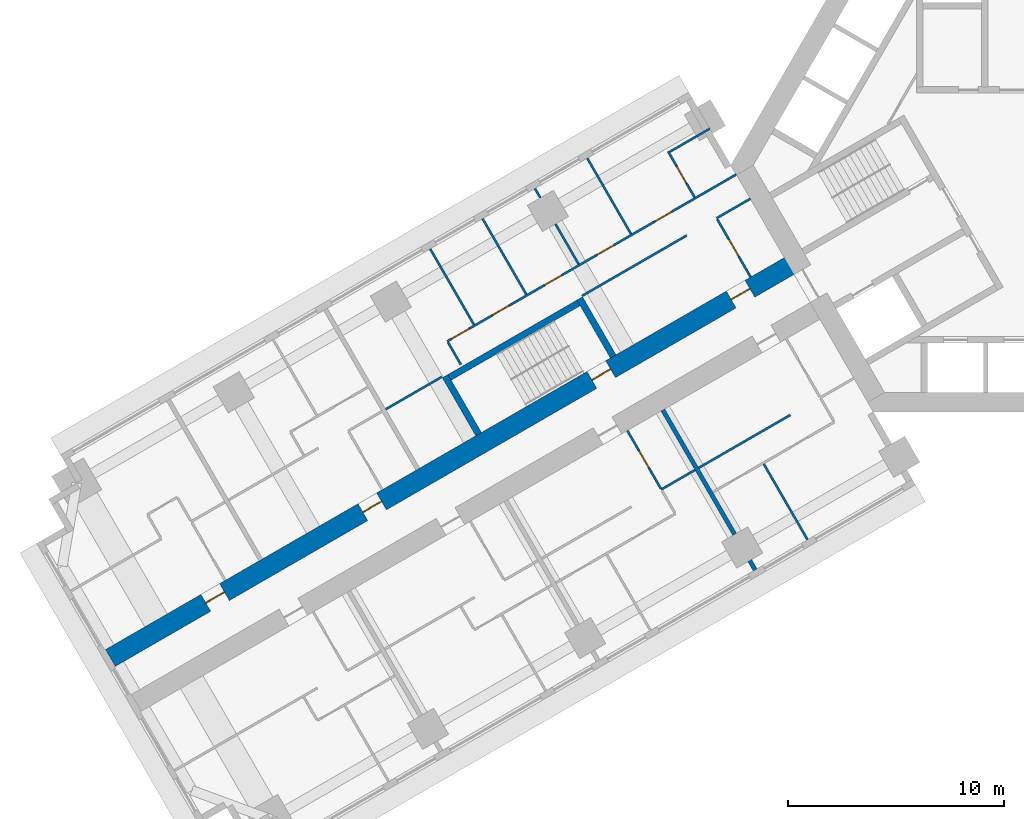
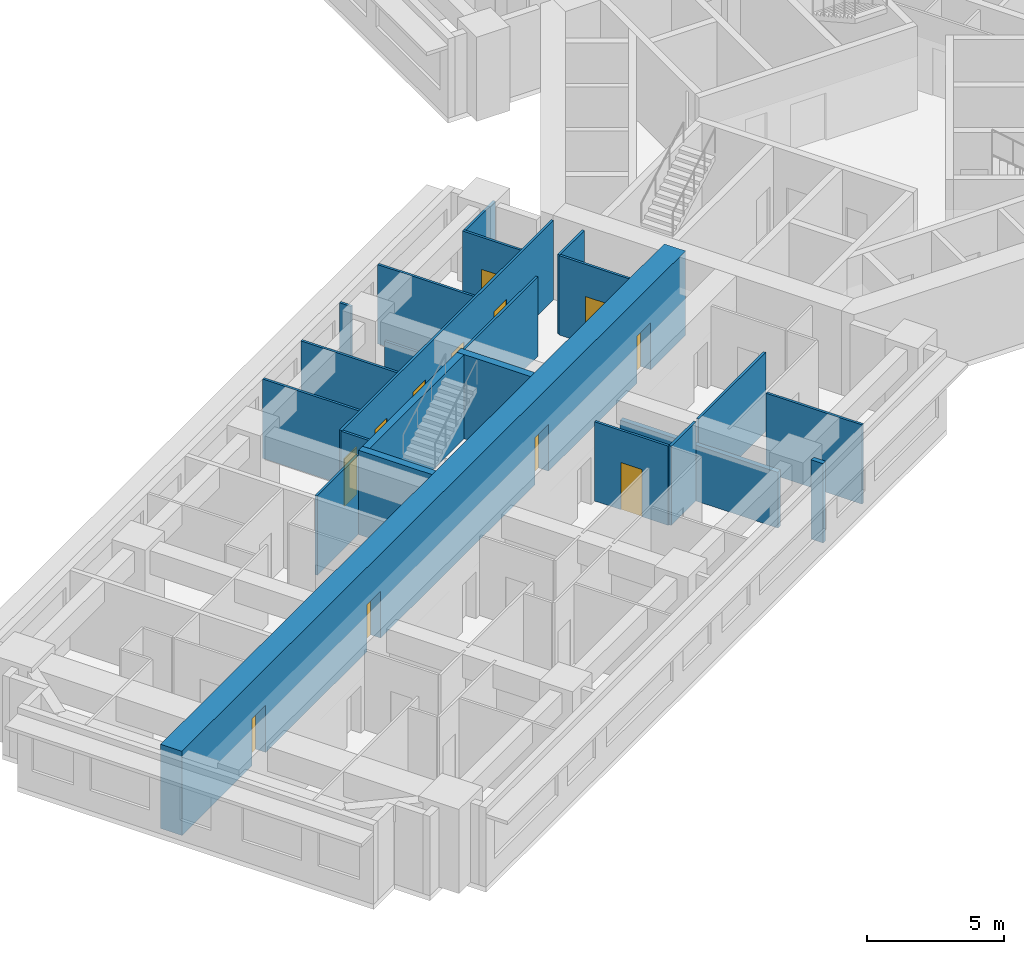
# One storey, part 5 of 15: 23 walls, 12 doors, 12 openings.
"""IFC4 building model written with IfcOpenShell, lengths in metres."""

from ifc_helpers import new_model, si_unit, direction, frame, frame_2d, origin, place, context, subcontext, project, spatial, rectangle, extrude, material, layer, layer_set, type_object, element, fill, save


model = new_model("IFC4")

# Units and contexts
model_context = context("Model", 3, precision=1e-05, world=origin(), true_north=direction((0.0, 1.0)))
body_context = subcontext(model_context, "Body", "Model", "MODEL_VIEW")
ifc_project = project(units=[si_unit("LENGTHUNIT", "METRE"), si_unit("AREAUNIT", "SQUARE_METRE"), si_unit("VOLUMEUNIT", "CUBIC_METRE"), si_unit("PLANEANGLEUNIT", "RADIAN"), si_unit("MASSUNIT", "GRAM", prefix="KILO")], contexts=[model_context])

# Site, building, storey
site_placement = place(None, origin())
site = spatial("IfcSite", under=ifc_project, at=site_placement, CompositionType="ELEMENT")
building_placement = place(site_placement, origin())
building = spatial("IfcBuilding", under=site, at=building_placement, Name="Impinga Residences", CompositionType="ELEMENT")
storey_placement = place(building_placement, frame((0.0, 0.0, 82.25)))
storey = spatial("IfcBuildingStorey", under=building, at=storey_placement, Name="L20", CompositionType="ELEMENT", Elevation=82.25)

# Wall, openings, doors
ifc_material_1 = material(Name="Concrete C70/85", Category="concrete")
ifc_layer_1 = layer(ifc_material_1, 0.89990234375)
ifc_layer_set_1 = layer_set([ifc_layer_1], Name="Concrete C70/85")
wall_type_1 = type_object("IfcWallType", Name="BW1 corridor buttress wall, L05 to L22 900", PredefinedType="SHEAR", material=ifc_layer_set_1)
wall_1_placement = place(storey_placement, frame((-10.1103515625, -4.451416015625, 0.0), z_axis=(0.0, 0.0, 1.0), x_axis=(-0.866025284237, -0.500000207062, 0.0)))
wall_1 = element("IfcWall", 1, at=wall_1_placement, inside=storey, type_object=wall_type_1, Name="Corridor wall BW1 WD L20", PredefinedType="SHEAR", context=body_context, shape_type="SweptSolid", body=[
    extrude(rectangle(XDim=36.75, YDim=0.89990234375, at=frame_2d((18.375, 0.0))), origin(), (0.0, 0.0, 1.0), 3.75),
])
opening_1_placement = place(wall_1_placement, frame((10.0, 0.0, 0.0)))
opening_1 = element("IfcOpeningElement", 2, at=opening_1_placement, cuts=wall_1, Name="Opening D5", PredefinedType="OPENING", context=body_context, shape_type="SweptSolid", body=[
    extrude(rectangle(XDim=1.0, YDim=2.10009765625, at=frame_2d((0.5, 1.050048828125))), frame((0.0, 0.4599609375, 0.0), z_axis=(0.0, -1.0, 0.0), x_axis=(1.0, 0.0, 0.0)), (0.0, 0.0, 1.0), 0.919921875),
])
opening_2_placement = place(wall_1_placement, frame((2.550048828125, 0.0, 0.0)))
opening_2 = element("IfcOpeningElement", 3, at=opening_2_placement, cuts=wall_1, Name="Opening D1", PredefinedType="OPENING", context=body_context, shape_type="SweptSolid", body=[
    extrude(rectangle(XDim=1.0, YDim=2.10009765625, at=frame_2d((0.5, 1.050048828125))), frame((0.0, 0.4599609375, 0.0), z_axis=(0.0, -1.0, 0.0), x_axis=(1.0, 0.0, 0.0)), (0.0, 0.0, 1.0), 0.919921875),
])
opening_3_placement = place(wall_1_placement, frame((22.25, 0.0, 0.0)))
opening_3 = element("IfcOpeningElement", 4, at=opening_3_placement, cuts=wall_1, Name="Opening D1", PredefinedType="OPENING", context=body_context, shape_type="SweptSolid", body=[
    extrude(rectangle(XDim=1.0, YDim=2.10009765625, at=frame_2d((0.5, 1.050048828125))), frame((0.0, 0.4599609375, 0.0), z_axis=(0.0, -1.0, 0.0), x_axis=(1.0, 0.0, 0.0)), (0.0, 0.0, 1.0), 0.919921875),
])
opening_4_placement = place(wall_1_placement, frame((30.64990234375, 0.0, 0.0)))
opening_4 = element("IfcOpeningElement", 5, at=opening_4_placement, cuts=wall_1, Name="Opening D1", PredefinedType="OPENING", context=body_context, shape_type="SweptSolid", body=[
    extrude(rectangle(XDim=1.0, YDim=2.10009765625, at=frame_2d((0.5, 1.050048828125))), frame((0.0, 0.4599609375, 0.0), z_axis=(0.0, -1.0, 0.0), x_axis=(1.0, 0.0, 0.0)), (0.0, 0.0, 1.0), 0.919921875),
])
ifc_material_2 = material(Name="Timber door set", Category="wood")
door_type_1 = type_object("IfcDoorType", Name="D1 apartment entrance door 1000x2100", OperationType="SINGLE_SWING_LEFT", PredefinedType="DOOR", material=ifc_material_2)
door_1_placement = place(opening_2_placement, origin())
door_1 = element("IfcDoor", 6, at=door_1_placement, inside=storey, type_object=door_type_1, Name="Apartment L20-WF1 entrance", OperationType="SINGLE_SWING_LEFT", OverallHeight=2.10009765625, OverallWidth=1.0, PredefinedType="DOOR", context=body_context, shape_type="SweptSolid", body=[
    extrude(rectangle(XDim=1.0, YDim=2.10009765625, at=frame_2d((0.5, 1.050048828125))), frame((0.0, 0.02490234375, 0.0), z_axis=(0.0, -1.0, 0.0), x_axis=(1.0, 0.0, 0.0)), (0.0, 0.0, 1.0), 0.050048828125),
])
fill(opening_2, door_1)
door_2_placement = place(opening_3_placement, origin())
door_2 = element("IfcDoor", 7, at=door_2_placement, inside=storey, type_object=door_type_1, Name="Apartment L20-WF2 entrance", OperationType="SINGLE_SWING_RIGHT", OverallHeight=2.10009765625, OverallWidth=1.0, PredefinedType="DOOR", context=body_context, shape_type="SweptSolid", body=[
    extrude(rectangle(XDim=1.0, YDim=2.10009765625, at=frame_2d((0.5, 1.050048828125))), frame((0.0, 0.02490234375, 0.0), z_axis=(0.0, -1.0, 0.0), x_axis=(1.0, 0.0, 0.0)), (0.0, 0.0, 1.0), 0.050048828125),
])
fill(opening_3, door_2)
door_3_placement = place(opening_4_placement, origin())
door_3 = element("IfcDoor", 8, at=door_3_placement, inside=storey, type_object=door_type_1, Name="Apartment L20-WF3 entrance", OperationType="SINGLE_SWING_RIGHT", OverallHeight=2.10009765625, OverallWidth=1.0, PredefinedType="DOOR", context=body_context, shape_type="SweptSolid", body=[
    extrude(rectangle(XDim=1.0, YDim=2.10009765625, at=frame_2d((0.5, 1.050048828125))), frame((0.0, 0.02490234375, 0.0), z_axis=(0.0, -1.0, 0.0), x_axis=(1.0, 0.0, 0.0)), (0.0, 0.0, 1.0), 0.050048828125),
])
fill(opening_4, door_3)
door_type_2 = type_object("IfcDoorType", Name="D5 stair door 1000x2100", OperationType="SINGLE_SWING_LEFT", PredefinedType="DOOR", material=ifc_material_2)
door_4_placement = place(opening_1_placement, origin())
door_4 = element("IfcDoor", 9, at=door_4_placement, inside=storey, type_object=door_type_2, Name="Wing stair door W", OperationType="SINGLE_SWING_LEFT", OverallHeight=2.10009765625, OverallWidth=1.0, PredefinedType="DOOR", context=body_context, shape_type="SweptSolid", body=[
    extrude(rectangle(XDim=1.0, YDim=2.10009765625, at=frame_2d((0.5, 1.050048828125))), frame((0.0, 0.02490234375, 0.0), z_axis=(0.0, -1.0, 0.0), x_axis=(1.0, 0.0, 0.0)), (0.0, 0.0, 1.0), 0.050048828125),
])
fill(opening_1, door_4)

# Walls
ifc_material_3 = material(Name="Gypsum board on steel studs", Category="steel")
ifc_layer_2 = layer(ifc_material_3, 0.10009765625)
ifc_layer_set_2 = layer_set([ifc_layer_2], Name="Gypsum board on steel studs")
wall_type_2 = type_object("IfcWallType", Name="IP1 partition 100", PredefinedType="PARTITIONING", material=ifc_layer_set_2)
wall_2_placement = place(storey_placement, frame((-10.444580078125, -11.57275390625, 0.0), z_axis=(0.0, 0.0, 1.0), x_axis=(-0.866023786258, -0.500002801628, 0.0)))
element("IfcWall", 10, at=wall_2_placement, inside=storey, type_object=wall_type_2, Name="Partition L20-WA1:DIV1", PredefinedType="PARTITIONING", context=body_context, shape_type="SweptSolid", body=[
    extrude(rectangle(XDim=4.89990234375, YDim=0.10009765625, at=frame_2d((2.449951171875, 0.0))), origin(), (0.0, 0.0, 1.0), 3.530029296875),
])
wall_3_placement = place(storey_placement, frame((-11.6748046875, -13.841796875, 0.0), z_axis=(0.0, 0.0, 1.0), x_axis=(0.500035537042, -0.866004885491, 0.0)))
element("IfcWall", 11, at=wall_3_placement, inside=storey, type_object=wall_type_2, Name="Partition L20-WA1:OB1", PredefinedType="PARTITIONING", context=body_context, shape_type="SweptSolid", body=[
    extrude(rectangle(XDim=4.050048828125, YDim=0.10009765625, at=frame_2d((2.02490234375, 0.0))), origin(), (0.0, 0.0, 1.0), 3.530029296875),
])
wall_4_placement = place(storey_placement, frame((-14.861328125, -14.122802734375, 0.0), z_axis=(0.0, 0.0, 1.0), x_axis=(-0.866047807691, -0.499961193289, 0.0)))
element("IfcWall", 12, at=wall_4_placement, inside=storey, type_object=wall_type_2, Name="Partition L20-WA2:DIV0", PredefinedType="PARTITIONING", context=body_context, shape_type="SweptSolid", body=[
    extrude(rectangle(XDim=1.800048828125, YDim=0.10009765625, at=frame_2d((0.89990234375, 0.0))), origin(), (0.0, 0.0, 1.0), 3.530029296875),
])

# Wall, opening, door
wall_5_placement = place(storey_placement, frame((-17.9951171875, -12.294677734375, 0.0), z_axis=(0.0, 0.0, 1.0), x_axis=(0.49999285859, -0.86602952684, 0.0)))
wall_5 = element("IfcWall", 13, at=wall_5_placement, inside=storey, type_object=wall_type_2, Name="Partition L20-WA2:IB1", PredefinedType="PARTITIONING", context=body_context, shape_type="SweptSolid", body=[
    extrude(rectangle(XDim=3.10009765625, YDim=0.10009765625, at=frame_2d((1.550048828125, 0.0))), origin(), (0.0, 0.0, 1.0), 3.530029296875),
])
opening_5_placement = place(wall_5_placement, frame((1.10009765625, 0.0, 0.0)))
opening_5 = element("IfcOpeningElement", 14, at=opening_5_placement, cuts=wall_5, Name="Opening D2", PredefinedType="OPENING", context=body_context, shape_type="SweptSolid", body=[
    extrude(rectangle(XDim=0.89990234375, YDim=2.10009765625, at=frame_2d((0.449951171875, 1.050048828125))), frame((0.0, 0.06005859375, 0.0), z_axis=(0.0, -1.0, 0.0), x_axis=(1.0, 0.0, 0.0)), (0.0, 0.0, 1.0), 0.1201171875),
])
door_type_3 = type_object("IfcDoorType", Name="D2 internal door 900x2100", OperationType="SINGLE_SWING_LEFT", PredefinedType="DOOR", material=ifc_material_2)
door_5_placement = place(opening_5_placement, origin())
door_5 = element("IfcDoor", 15, at=door_5_placement, inside=storey, type_object=door_type_3, Name="Apartment L20-WA2 bathroom door", OperationType="SINGLE_SWING_LEFT", OverallHeight=2.10009765625, OverallWidth=0.89990234375, PredefinedType="DOOR", context=body_context, shape_type="SweptSolid", body=[
    extrude(rectangle(XDim=0.89990234375, YDim=2.10009765625, at=frame_2d((0.449951171875, 1.050048828125))), frame((0.0, 0.02490234375, 0.0), z_axis=(0.0, -1.0, 0.0), x_axis=(1.0, 0.0, 0.0)), (0.0, 0.0, 1.0), 0.050048828125),
])
fill(opening_5, door_5)

# Walls
wall_6_placement = place(storey_placement, frame((-12.300048828125, -1.558837890625, 0.0), z_axis=(0.0, 0.0, 1.0), x_axis=(-0.866047807691, -0.499961193289, 0.0)))
element("IfcWall", 16, at=wall_6_placement, inside=storey, type_object=wall_type_2, Name="Partition L20-WF1:DIV0", PredefinedType="PARTITIONING", context=body_context, shape_type="SweptSolid", body=[
    extrude(rectangle(XDim=1.800048828125, YDim=0.10009765625, at=frame_2d((0.89990234375, 0.0))), origin(), (0.0, 0.0, 1.0), 3.530029296875),
])
wall_7_placement = place(storey_placement, frame((-15.244384765625, -3.2587890625, 0.0), z_axis=(0.0, 0.0, 1.0), x_axis=(-0.866026594901, -0.49999793692, 0.0)))
element("IfcWall", 17, at=wall_7_placement, inside=storey, type_object=wall_type_2, Name="Partition L20-WF1:DIV1", PredefinedType="PARTITIONING", context=body_context, shape_type="SweptSolid", body=[
    extrude(rectangle(XDim=5.60009765625, YDim=0.10009765625, at=frame_2d((2.800048828125, 0.0))), origin(), (0.0, 0.0, 1.0), 3.530029296875),
])
wall_8_placement = place(storey_placement, frame((-26.58935546875, -9.808837890625, 0.0), z_axis=(0.0, 0.0, 1.0), x_axis=(-0.866031096941, -0.499990139034, 0.0)))
element("IfcWall", 18, at=wall_8_placement, inside=storey, type_object=wall_type_2, Name="Partition L20-WF1:DIV2", PredefinedType="PARTITIONING", context=body_context, shape_type="SweptSolid", body=[
    extrude(rectangle(XDim=3.0, YDim=0.10009765625, at=frame_2d((1.5, 0.0))), origin(), (0.0, 0.0, 1.0), 3.530029296875),
])

# Wall, openings, doors
wall_9_placement = place(storey_placement, frame((-12.949951171875, -0.43310546875, 0.0), z_axis=(0.0, 0.0, 1.0), x_axis=(-0.866030066916, -0.499991923133, 0.0)))
wall_9 = element("IfcWall", 19, at=wall_9_placement, inside=storey, type_object=wall_type_2, Name="Partition L20-WF1:STRIP", PredefinedType="PARTITIONING", context=body_context, shape_type="SweptSolid", body=[
    extrude(rectangle(XDim=15.449951171875, YDim=0.10009765625, at=frame_2d((7.72509765625, 0.0))), origin(), (0.0, 0.0, 1.0), 3.530029296875),
])
opening_6_placement = place(wall_9_placement, frame((3.449951171875, 0.0, 0.0)))
opening_6 = element("IfcOpeningElement", 20, at=opening_6_placement, cuts=wall_9, Name="Opening D2", PredefinedType="OPENING", context=body_context, shape_type="SweptSolid", body=[
    extrude(rectangle(XDim=0.89990234375, YDim=2.10009765625, at=frame_2d((0.449951171875, 1.050048828125))), frame((0.0, 0.06005859375, 0.0), z_axis=(0.0, -1.0, 0.0), x_axis=(1.0, 0.0, 0.0)), (0.0, 0.0, 1.0), 0.1201171875),
])
opening_7_placement = place(wall_9_placement, frame((6.550048828125, 0.0, 0.0)))
opening_7 = element("IfcOpeningElement", 21, at=opening_7_placement, cuts=wall_9, Name="Opening D2", PredefinedType="OPENING", context=body_context, shape_type="SweptSolid", body=[
    extrude(rectangle(XDim=0.89990234375, YDim=2.10009765625, at=frame_2d((0.449951171875, 1.050048828125))), frame((0.0, 0.06005859375, 0.0), z_axis=(0.0, -1.0, 0.0), x_axis=(1.0, 0.0, 0.0)), (0.0, 0.0, 1.0), 0.1201171875),
])
opening_8_placement = place(wall_9_placement, frame((9.35009765625, 0.0, 0.0)))
opening_8 = element("IfcOpeningElement", 22, at=opening_8_placement, cuts=wall_9, Name="Opening D2", PredefinedType="OPENING", context=body_context, shape_type="SweptSolid", body=[
    extrude(rectangle(XDim=0.89990234375, YDim=2.10009765625, at=frame_2d((0.449951171875, 1.050048828125))), frame((0.0, 0.06005859375, 0.0), z_axis=(0.0, -1.0, 0.0), x_axis=(1.0, 0.0, 0.0)), (0.0, 0.0, 1.0), 0.1201171875),
])
opening_9_placement = place(wall_9_placement, frame((12.14990234375, 0.0, 0.0)))
opening_9 = element("IfcOpeningElement", 23, at=opening_9_placement, cuts=wall_9, Name="Opening D2", PredefinedType="OPENING", context=body_context, shape_type="SweptSolid", body=[
    extrude(rectangle(XDim=0.89990234375, YDim=2.10009765625, at=frame_2d((0.449951171875, 1.050048828125))), frame((0.0, 0.06005859375, 0.0), z_axis=(0.0, -1.0, 0.0), x_axis=(1.0, 0.0, 0.0)), (0.0, 0.0, 1.0), 0.1201171875),
])
opening_10_placement = place(wall_9_placement, frame((14.300048828125, 0.0, 0.0)))
opening_10 = element("IfcOpeningElement", 24, at=opening_10_placement, cuts=wall_9, Name="Opening D2", PredefinedType="OPENING", context=body_context, shape_type="SweptSolid", body=[
    extrude(rectangle(XDim=0.89990234375, YDim=2.10009765625, at=frame_2d((0.449951171875, 1.050048828125))), frame((0.0, 0.06005859375, 0.0), z_axis=(0.0, -1.0, 0.0), x_axis=(1.0, 0.0, 0.0)), (0.0, 0.0, 1.0), 0.1201171875),
])
door_6_placement = place(opening_6_placement, origin())
door_6 = element("IfcDoor", 25, at=door_6_placement, inside=storey, type_object=door_type_3, Name="Apartment L20-WF1 room door", OperationType="SINGLE_SWING_LEFT", OverallHeight=2.10009765625, OverallWidth=0.89990234375, PredefinedType="DOOR", context=body_context, shape_type="SweptSolid", body=[
    extrude(rectangle(XDim=0.89990234375, YDim=2.10009765625, at=frame_2d((0.449951171875, 1.050048828125))), frame((0.0, 0.02490234375, 0.0), z_axis=(0.0, -1.0, 0.0), x_axis=(1.0, 0.0, 0.0)), (0.0, 0.0, 1.0), 0.050048828125),
])
fill(opening_6, door_6)
door_7_placement = place(opening_7_placement, origin())
door_7 = element("IfcDoor", 26, at=door_7_placement, inside=storey, type_object=door_type_3, Name="Apartment L20-WF1 room door", OperationType="SINGLE_SWING_LEFT", OverallHeight=2.10009765625, OverallWidth=0.89990234375, PredefinedType="DOOR", context=body_context, shape_type="SweptSolid", body=[
    extrude(rectangle(XDim=0.89990234375, YDim=2.10009765625, at=frame_2d((0.449951171875, 1.050048828125))), frame((0.0, 0.02490234375, 0.0), z_axis=(0.0, -1.0, 0.0), x_axis=(1.0, 0.0, 0.0)), (0.0, 0.0, 1.0), 0.050048828125),
])
fill(opening_7, door_7)
door_8_placement = place(opening_8_placement, origin())
door_8 = element("IfcDoor", 27, at=door_8_placement, inside=storey, type_object=door_type_3, Name="Apartment L20-WF1 room door", OperationType="SINGLE_SWING_RIGHT", OverallHeight=2.10009765625, OverallWidth=0.89990234375, PredefinedType="DOOR", context=body_context, shape_type="SweptSolid", body=[
    extrude(rectangle(XDim=0.89990234375, YDim=2.10009765625, at=frame_2d((0.449951171875, 1.050048828125))), frame((0.0, 0.02490234375, 0.0), z_axis=(0.0, -1.0, 0.0), x_axis=(1.0, 0.0, 0.0)), (0.0, 0.0, 1.0), 0.050048828125),
])
fill(opening_8, door_8)
door_9_placement = place(opening_9_placement, origin())
door_9 = element("IfcDoor", 28, at=door_9_placement, inside=storey, type_object=door_type_3, Name="Apartment L20-WF1 room door", OperationType="SINGLE_SWING_RIGHT", OverallHeight=2.10009765625, OverallWidth=0.89990234375, PredefinedType="DOOR", context=body_context, shape_type="SweptSolid", body=[
    extrude(rectangle(XDim=0.89990234375, YDim=2.10009765625, at=frame_2d((0.449951171875, 1.050048828125))), frame((0.0, 0.02490234375, 0.0), z_axis=(0.0, -1.0, 0.0), x_axis=(1.0, 0.0, 0.0)), (0.0, 0.0, 1.0), 0.050048828125),
])
fill(opening_9, door_9)
door_10_placement = place(opening_10_placement, origin())
door_10 = element("IfcDoor", 29, at=door_10_placement, inside=storey, type_object=door_type_3, Name="Apartment L20-WF1 room door", OperationType="SINGLE_SWING_RIGHT", OverallHeight=2.10009765625, OverallWidth=0.89990234375, PredefinedType="DOOR", context=body_context, shape_type="SweptSolid", body=[
    extrude(rectangle(XDim=0.89990234375, YDim=2.10009765625, at=frame_2d((0.449951171875, 1.050048828125))), frame((0.0, 0.02490234375, 0.0), z_axis=(0.0, -1.0, 0.0), x_axis=(1.0, 0.0, 0.0)), (0.0, 0.0, 1.0), 0.050048828125),
])
fill(opening_10, door_10)

# Wall
wall_10_placement = place(storey_placement, frame((-25.705078125, -9.240478515625, 0.0), z_axis=(0.0, 0.0, 1.0), x_axis=(-0.50012165622, 0.865955154139, 0.0)))
element("IfcWall", 30, at=wall_10_placement, inside=storey, type_object=wall_type_2, Name="Partition L20-WF1:SE1", PredefinedType="PARTITIONING", context=body_context, shape_type="SweptSolid", body=[
    extrude(rectangle(XDim=1.199951171875, YDim=0.10009765625, at=frame_2d((0.60009765625, 0.0))), origin(), (0.0, 0.0, 1.0), 3.530029296875),
])

# Wall, opening, door
wall_11_placement = place(storey_placement, frame((-12.283935546875, -5.186767578125, 0.0), z_axis=(0.0, 0.0, 1.0), x_axis=(-0.499967891604, 0.866043940782, 0.0)))
wall_11 = element("IfcWall", 31, at=wall_11_placement, inside=storey, type_object=wall_type_2, Name="Partition L20-WF1:IB1", PredefinedType="PARTITIONING", context=body_context, shape_type="SweptSolid", body=[
    extrude(rectangle(XDim=3.099853515625, YDim=0.10009765625, at=frame_2d((1.5498046875, 0.0))), origin(), (0.0, 0.0, 1.0), 3.530029296875),
])
opening_11_placement = place(wall_11_placement, frame((1.10009765625, 0.0, 0.0)))
opening_11 = element("IfcOpeningElement", 32, at=opening_11_placement, cuts=wall_11, Name="Opening D2", PredefinedType="OPENING", context=body_context, shape_type="SweptSolid", body=[
    extrude(rectangle(XDim=0.89990234375, YDim=2.10009765625, at=frame_2d((0.449951171875, 1.050048828125))), frame((0.0, 0.06005859375, 0.0), z_axis=(0.0, -1.0, 0.0), x_axis=(1.0, 0.0, 0.0)), (0.0, 0.0, 1.0), 0.1201171875),
])
door_11_placement = place(opening_11_placement, origin())
door_11 = element("IfcDoor", 33, at=door_11_placement, inside=storey, type_object=door_type_3, Name="Apartment L20-WF1 bathroom door", OperationType="SINGLE_SWING_LEFT", OverallHeight=2.10009765625, OverallWidth=0.89990234375, PredefinedType="DOOR", context=body_context, shape_type="SweptSolid", body=[
    extrude(rectangle(XDim=0.89990234375, YDim=2.10009765625, at=frame_2d((0.449951171875, 1.050048828125))), frame((0.0, 0.02490234375, 0.0), z_axis=(0.0, -1.0, 0.0), x_axis=(1.0, 0.0, 0.0)), (0.0, 0.0, 1.0), 0.050048828125),
])
fill(opening_11, door_11)

# Walls
wall_12_placement = place(storey_placement, frame((-17.82470703125, -3.189697265625, 0.0), z_axis=(0.0, 0.0, 1.0), x_axis=(-0.500035537042, 0.866004885491, 0.0)))
element("IfcWall", 34, at=wall_12_placement, inside=storey, type_object=wall_type_2, Name="Partition L20-WF1:OB1", PredefinedType="PARTITIONING", context=body_context, shape_type="SweptSolid", body=[
    extrude(rectangle(XDim=4.050048828125, YDim=0.10009765625, at=frame_2d((2.02490234375, 0.0))), origin(), (0.0, 0.0, 1.0), 3.530029296875),
])
wall_13_placement = place(storey_placement, frame((-20.24951171875, -4.589599609375, 0.0), z_axis=(0.0, 0.0, 1.0), x_axis=(-0.500095966228, 0.865969990567, 0.0)))
element("IfcWall", 35, at=wall_13_placement, inside=storey, type_object=wall_type_2, Name="Partition L20-WF1:OB2", PredefinedType="PARTITIONING", context=body_context, shape_type="SweptSolid", body=[
    extrude(rectangle(XDim=2.14990234375, YDim=0.10009765625, at=frame_2d((1.074951171875, 0.0))), origin(), (0.0, 0.0, 1.0), 2.47998046875),
])
wall_14_placement = place(storey_placement, frame((-22.024658203125, -1.515380859375, 0.0), z_axis=(0.0, 0.0, 1.0), x_axis=(-0.499919672301, 0.866071776036, 0.0)))
element("IfcWall", 36, at=wall_14_placement, inside=storey, type_object=wall_type_2, Name="Partition L20-WF1:OB2b", PredefinedType="PARTITIONING", context=body_context, shape_type="SweptSolid", body=[
    extrude(rectangle(XDim=0.5, YDim=0.10009765625, at=frame_2d((0.25, 0.0))), origin(), (0.0, 0.0, 1.0), 3.530029296875),
])
for number, where, z_axis, x_axis, name in (
    (37, (-22.674560546875, -5.98974609375, 0.0), (0.0, 0.0, 1.0), (-0.499990325971, 0.866030989016, 0.0), "Partition L20-WF1:OB3"),
    (38, (-25.099365234375, -7.3896484375, 0.0), (0.0, 0.0, 1.0), (-0.499990325971, 0.866030989016, 0.0), "Partition L20-WF1:OB4"),
):
    element("IfcWall", number, at=place(storey_placement, frame(where, z_axis=z_axis, x_axis=x_axis)), inside=storey, type_object=wall_type_2, Name=name, PredefinedType="PARTITIONING", context=body_context, shape_type="SweptSolid", body=[
        extrude(rectangle(XDim=4.0498046875, YDim=0.10009765625, at=frame_2d((2.02490234375, 0.0))), origin(), (0.0, 0.0, 1.0), 3.530029296875),
    ])

# Wall, opening, door
wall_15_placement = place(storey_placement, frame((-14.88037109375, -1.48974609375, 0.0), z_axis=(0.0, 0.0, 1.0), x_axis=(-0.499943856944, 0.866057815567, 0.0)))
wall_15 = element("IfcWall", 39, at=wall_15_placement, inside=storey, type_object=wall_type_2, Name="Partition L20-WF1:EN1", PredefinedType="PARTITIONING", context=body_context, shape_type="SweptSolid", body=[
    extrude(rectangle(XDim=2.449951171875, YDim=0.10009765625, at=frame_2d((1.22509765625, 0.0))), origin(), (0.0, 0.0, 1.0), 3.530029296875),
])
opening_12_placement = place(wall_15_placement, frame((0.75, 0.0, 0.0)))
opening_12 = element("IfcOpeningElement", 40, at=opening_12_placement, cuts=wall_15, Name="Opening D2", PredefinedType="OPENING", context=body_context, shape_type="SweptSolid", body=[
    extrude(rectangle(XDim=0.89990234375, YDim=2.10009765625, at=frame_2d((0.449951171875, 1.050048828125))), frame((0.0, 0.06005859375, 0.0), z_axis=(0.0, -1.0, 0.0), x_axis=(1.0, 0.0, 0.0)), (0.0, 0.0, 1.0), 0.1201171875),
])
door_12_placement = place(opening_12_placement, origin())
door_12 = element("IfcDoor", 41, at=door_12_placement, inside=storey, type_object=door_type_3, Name="Apartment L20-WF1 en-suite door", OperationType="SINGLE_SWING_LEFT", OverallHeight=2.10009765625, OverallWidth=0.89990234375, PredefinedType="DOOR", context=body_context, shape_type="SweptSolid", body=[
    extrude(rectangle(XDim=0.89990234375, YDim=2.10009765625, at=frame_2d((0.449951171875, 1.050048828125))), frame((0.0, 0.02490234375, 0.0), z_axis=(0.0, -1.0, 0.0), x_axis=(1.0, 0.0, 0.0)), (0.0, 0.0, 1.0), 0.050048828125),
])
fill(opening_12, door_12)

# Walls
wall_16_placement = place(storey_placement, frame((-14.175048828125, 1.688720703125, 0.0), z_axis=(0.0, 0.0, 1.0), x_axis=(-0.866019166195, -0.500010803666, 0.0)))
element("IfcWall", 42, at=wall_16_placement, inside=storey, type_object=wall_type_2, Name="Partition L20-WF1:EN2", PredefinedType="PARTITIONING", context=body_context, shape_type="SweptSolid", body=[
    extrude(rectangle(XDim=2.14990234375, YDim=0.10009765625, at=frame_2d((1.074951171875, 0.0))), origin(), (0.0, 0.0, 1.0), 3.530029296875),
])
ifc_material_4 = material(Name="Concrete blockwork", Category="masonry")
ifc_layer_3 = layer(ifc_material_4, 0.199951171875)
ifc_layer_set_3 = layer_set([ifc_layer_3], Name="PW1 party wall between apartments 200")
wall_type_3 = type_object("IfcWallType", Name="PW1 party wall between apartments 200", PredefinedType="SOLIDWALL", material=ifc_layer_set_3)
wall_17_placement = place(storey_placement, frame((-16.349609375, -11.3447265625, 0.0), z_axis=(0.0, 0.0, 1.0), x_axis=(0.49999681972, -0.866027239912, 0.0)))
element("IfcWall", 43, at=wall_17_placement, inside=storey, type_object=wall_type_3, Name="Party wall between apartments L20-WA1:PARTY", PredefinedType="SOLIDWALL", context=body_context, shape_type="SweptSolid", body=[
    extrude(rectangle(XDim=6.64990234375, YDim=0.199951171875, at=frame_2d((3.324951171875, 0.0))), origin(), (0.0, 0.0, 1.0), 2.47998046875),
])
wall_18_placement = place(storey_placement, frame((-12.32470703125, -18.316162109375, 0.0), z_axis=(0.0, 0.0, 1.0), x_axis=(0.499919672301, -0.866071776036, 0.0)))
element("IfcWall", 44, at=wall_18_placement, inside=storey, type_object=wall_type_3, Name="Party wall between apartments L20-WA1:PARTYb", PredefinedType="SOLIDWALL", context=body_context, shape_type="SweptSolid", body=[
    extrude(rectangle(XDim=0.5, YDim=0.199951171875, at=frame_2d((0.25, 0.0))), origin(), (0.0, 0.0, 1.0), 3.530029296875),
])
ifc_material_5 = material(Name="Concrete C60/75", Category="concrete")
ifc_layer_4 = layer(ifc_material_5, 0.300048828125)
ifc_layer_set_4 = layer_set([ifc_layer_4], Name="Concrete C60/75")
wall_type_4 = type_object("IfcWallType", Name="SE1 wing stair enclosure wall 300", PredefinedType="SOLIDWALL", material=ifc_layer_set_4)
wall_19_placement = place(storey_placement, frame((-18.649169921875, -8.86181640625, 0.0), z_axis=(0.0, 0.0, 1.0), x_axis=(-0.500026960575, 0.86600983753, 0.0)))
element("IfcWall", 45, at=wall_19_placement, inside=storey, type_object=wall_type_4, Name="Stair enclosure wall SE1 W END0 L20", PredefinedType="SOLIDWALL", context=body_context, shape_type="SweptSolid", body=[
    extrude(rectangle(XDim=3.099853515625, YDim=0.300048828125, at=frame_2d((1.5498046875, 0.0))), origin(), (0.0, 0.0, 1.0), 3.75),
])
wall_20_placement = place(storey_placement, frame((-24.884521484375, -12.4619140625, 0.0), z_axis=(0.0, 0.0, 1.0), x_axis=(-0.49999285859, 0.86602952684, 0.0)))
element("IfcWall", 46, at=wall_20_placement, inside=storey, type_object=wall_type_4, Name="Stair enclosure wall SE1 W END1 L20", PredefinedType="SOLIDWALL", context=body_context, shape_type="SweptSolid", body=[
    extrude(rectangle(XDim=3.10009765625, YDim=0.300048828125, at=frame_2d((1.550048828125, 0.0))), origin(), (0.0, 0.0, 1.0), 3.75),
])
wall_21_placement = place(storey_placement, frame((-20.254150390625, -6.382080078125, 0.0), z_axis=(0.0, 0.0, 1.0), x_axis=(-0.866020008033, -0.500009345598, 0.0)))
element("IfcWall", 47, at=wall_21_placement, inside=storey, type_object=wall_type_4, Name="Stair enclosure wall SE1 W OUT L20", PredefinedType="SOLIDWALL", context=body_context, shape_type="SweptSolid", body=[
    extrude(rectangle(XDim=6.899658203125, YDim=0.300048828125, at=frame_2d((3.44970703125, 0.0))), origin(), (0.0, 0.0, 1.0), 3.75),
])

save(model, "model.ifc")
